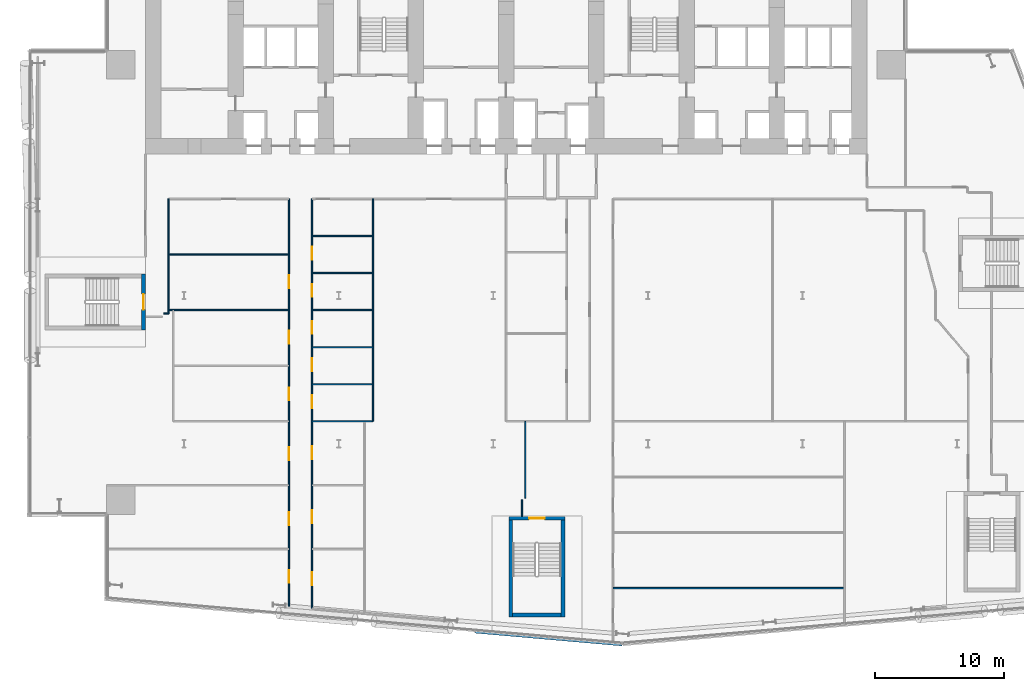
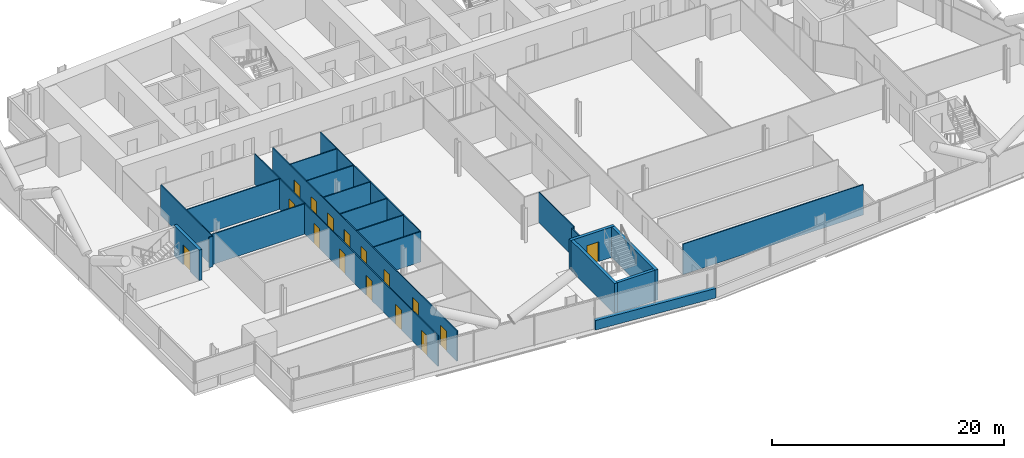
# One storey, part 13 of 27: 23 walls, 16 doors, 16 openings.
"""IFC4 building model written with IfcOpenShell, lengths in metres."""

import ifcopenshell
import ifcopenshell.guid

model = None  # the IFC model being written
_history = None  # IfcOwnerHistory: only IFC2X3 demands one
_inside = {}  # id of a spatial element -> (the spatial element, [elements in it])
_under = {}  # id of a project, library or spatial element -> (it, [spatial elements below it])
_declared = {}  # id of a project -> (the project, [libraries it declares])
_typed = {}  # id of a type object -> (the type object, [elements of that type])
_made_of = {}  # id of a material, layer set ... -> (it, [elements and type objects made of it])


def new_model(schema):
    """Start an empty IFC model of exactly this schema.

    Asked for "IFC4X3", IfcOpenShell would pick the latest addendum, in which some entities
    have other attributes; the version numbers below select the first issue.
    IFC2X3 requires an IfcOwnerHistory on every rooted entity: one is made here for all.
    """
    global model, _history
    if schema == "IFC4X3":
        model = ifcopenshell.file(schema_version=(4, 3, 0, 0))
    else:
        model = ifcopenshell.file(schema=schema)
    _inside.clear()
    _under.clear()
    _declared.clear()
    _typed.clear()
    _made_of.clear()
    _history = None
    if model.schema == "IFC2X3":
        org = make("IfcOrganization", Name="unknown")
        user = make(
            "IfcPersonAndOrganization",
            ThePerson=make("IfcPerson", FamilyName="unknown"),
            TheOrganization=org,
        )
        app = make(
            "IfcApplication",
            ApplicationDeveloper=org,
            Version="unknown",
            ApplicationFullName="unknown",
            ApplicationIdentifier="unknown",
        )
        _history = make(
            "IfcOwnerHistory",
            OwningUser=user,
            OwningApplication=app,
            ChangeAction="ADDED",
            CreationDate=0,
        )
    return model


def make(cls, **values):
    """One entity of the class cls with the attributes given. An attribute that is None is left unset."""
    return model.create_entity(
        cls, **{name: value for name, value in values.items() if value is not None}
    )


def rooted(cls, **values):
    """An entity with a GlobalId (a new one), such as an element, a storey or a relation."""
    return make(cls, GlobalId=ifcopenshell.guid.new(), OwnerHistory=_history, **values)


def si_unit(unit_type, name, prefix=None):
    """IfcSIUnit, for example si_unit("LENGTHUNIT", "METRE", prefix="MILLI")."""
    return make("IfcSIUnit", UnitType=unit_type, Prefix=prefix, Name=name)


def assignment(units):
    """IfcUnitAssignment: the units of a project."""
    return None if units is None else make("IfcUnitAssignment", Units=units)


def point(xyz):
    """IfcCartesianPoint."""
    return None if xyz is None else make("IfcCartesianPoint", Coordinates=xyz)


def direction(xyz):
    """IfcDirection."""
    return None if xyz is None else make("IfcDirection", DirectionRatios=xyz)


def frame(location, z_axis=None, x_axis=None):
    """IfcAxis2Placement3D, a coordinate frame: its origin and axes. An axis left out is left unset."""
    return make(
        "IfcAxis2Placement3D",
        Location=point(location),
        Axis=direction(z_axis),
        RefDirection=direction(x_axis),
    )


def frame_2d(location, x_axis=None):
    """IfcAxis2Placement2D, a coordinate frame in the plane: its origin and x axis."""
    return make(
        "IfcAxis2Placement2D", Location=point(location), RefDirection=direction(x_axis)
    )


def origin():
    """The frame at (0, 0, 0) with its axes left unset."""
    return frame((0.0, 0.0, 0.0))


def place(relative_to, where):
    """IfcLocalPlacement: puts the frame where relative to a parent placement (None: the world)."""
    return make(
        "IfcLocalPlacement", PlacementRelTo=relative_to, RelativePlacement=where
    )


def context(
    kind, dimensions, precision=None, world=None, true_north=None, identifier=None
):
    """IfcGeometricRepresentationContext, for example the 3D "Model" context."""
    return make(
        "IfcGeometricRepresentationContext",
        ContextIdentifier=identifier,
        ContextType=kind,
        CoordinateSpaceDimension=dimensions,
        Precision=precision,
        WorldCoordinateSystem=world,
        TrueNorth=true_north,
    )


def subcontext(parent, identifier, kind, view, scale=None):
    """IfcGeometricRepresentationSubContext, for example "Body" below "Model"."""
    return make(
        "IfcGeometricRepresentationSubContext",
        ContextIdentifier=identifier,
        ContextType=kind,
        ParentContext=parent,
        TargetScale=scale,
        TargetView=view,
    )


def project(units=None, contexts=None):
    """IfcProject with its units and contexts."""
    return rooted(
        "IfcProject",
        Name="project",
        RepresentationContexts=contexts,
        UnitsInContext=assignment(units),
    )


def spatial(cls, under=None, at=None, **own):
    """A site, building, storey or space (cls), placed at a placement, below another one or the project."""
    s = rooted(cls, ObjectPlacement=at, **own)
    if under is not None:
        _under.setdefault(under.id(), (under, []))[1].append(s)
    return s


def profile(cls, at=None, kind="AREA", **sizes):
    """A parametric profile (cls). Its sizes go by their IFC names, for example OverallWidth=200.0."""
    return make(cls, ProfileType=kind, Position=at, **sizes)


def rectangle(**sizes):
    """IfcRectangleProfileDef."""
    return profile("IfcRectangleProfileDef", **sizes)


def extrude(swept, where, along, depth):
    """IfcExtrudedAreaSolid: the profile swept, set in the frame where, extruded along a direction by depth."""
    return make(
        "IfcExtrudedAreaSolid",
        SweptArea=swept,
        Position=where,
        ExtrudedDirection=direction(along),
        Depth=depth,
    )


def shape(context_of_items, identifier, shape_type, items):
    """IfcShapeRepresentation: the items that make up one representation, for example the "Body"."""
    return make(
        "IfcShapeRepresentation",
        ContextOfItems=context_of_items,
        RepresentationIdentifier=identifier,
        RepresentationType=shape_type,
        Items=items,
    )


def material(Name=None, Category=None):
    """IfcMaterial."""
    return make("IfcMaterial", Name=Name, Category=Category)


def layer(
    of_material, thickness, ventilated=None, Name=None, Category=None, Priority=None
):
    """IfcMaterialLayer: one layer of a wall or slab, of a material (None: an air gap)."""
    return make(
        "IfcMaterialLayer",
        Material=of_material,
        LayerThickness=thickness,
        IsVentilated=ventilated,
        Name=Name,
        Category=Category,
        Priority=Priority,
    )


def layer_set(layers, Name=None):
    """IfcMaterialLayerSet."""
    return make("IfcMaterialLayerSet", MaterialLayers=layers, LayerSetName=Name)


def made_of(thing, what):
    """Note that an element or type object is made of a material, layer set ...; save() writes the relation."""
    if what is not None:
        _made_of.setdefault(what.id(), (what, []))[1].append(thing)
    return thing


def type_object(cls, material=None, **own):
    """A type object (cls), such as IfcWallType, which elements share."""
    return made_of(rooted(cls, **own), material)


def element(
    cls,
    number,
    at=None,
    inside=None,
    cuts=None,
    type_object=None,
    material=None,
    context=None,
    identifier="Body",
    shape_type=None,
    held_by="IfcProductDefinitionShape",
    body=None,
    shapes=None,
    **own,
):
    """One element of the class cls, such as IfcWall. Its Tag is "e" and its number.

    at: its placement. inside: the storey or other place that contains it. cuts: it is an
    opening in that element (IfcRelVoidsElement). A single representation is given by context,
    identifier, shape_type and body (its items); several are given by shapes. held_by: the class
    of the entity that holds the representations. save() writes the other relations.
    """
    e = rooted(cls, Tag="e%d" % number, ObjectPlacement=at, **own)
    if body is not None:
        shapes = [shape(context, identifier, shape_type, body)]
    if shapes is not None:
        e.Representation = make(held_by, Representations=shapes)
    if inside is not None:
        _inside.setdefault(inside.id(), (inside, []))[1].append(e)
    if cuts is not None:
        rooted(
            "IfcRelVoidsElement", RelatingBuildingElement=cuts, RelatedOpeningElement=e
        )
    if type_object is not None:
        _typed.setdefault(type_object.id(), (type_object, []))[1].append(e)
    return made_of(e, material)


def fill(opening, filler):
    """IfcRelFillsElement: the door or window that sits in an opening."""
    return rooted(
        "IfcRelFillsElement",
        RelatingOpeningElement=opening,
        RelatedBuildingElement=filler,
    )


def aggregate(whole, parts):
    """IfcRelAggregates: a whole, such as a stair, and the parts it consists of."""
    return rooted("IfcRelAggregates", RelatingObject=whole, RelatedObjects=parts)


def save(model, path):
    """Write the relations noted so far, then the file.

    IfcRelAggregates (storeys below a building ...), IfcRelContainedInSpatialStructure (elements
    in a storey), IfcRelDefinesByType, IfcRelAssociatesMaterial and IfcRelDeclares: one each for
    every whole, place, type object, material and project.
    """
    for whole, parts in _under.values():
        aggregate(whole, parts)
    for where, things in _inside.values():
        rooted(
            "IfcRelContainedInSpatialStructure",
            RelatedElements=things,
            RelatingStructure=where,
        )
    for kind, things in _typed.values():
        rooted("IfcRelDefinesByType", RelatedObjects=things, RelatingType=kind)
    for what, things in _made_of.values():
        rooted("IfcRelAssociatesMaterial", RelatedObjects=things, RelatingMaterial=what)
    for by, libraries in _declared.values():
        rooted("IfcRelDeclares", RelatingContext=by, RelatedDefinitions=libraries)
    model.write(path)


model = new_model("IFC4")

# Units and contexts
model_context = context("Model", 3, precision=1e-05, world=origin(), true_north=direction((0.0, 1.0)))
body_context = subcontext(model_context, "Body", "Model", "MODEL_VIEW")
ifc_project = project(units=[si_unit("LENGTHUNIT", "METRE"), si_unit("AREAUNIT", "SQUARE_METRE"), si_unit("VOLUMEUNIT", "CUBIC_METRE"), si_unit("PLANEANGLEUNIT", "RADIAN"), si_unit("MASSUNIT", "GRAM", prefix="KILO")], contexts=[model_context])

# Site, building, storey
site_placement = place(None, origin())
site = spatial("IfcSite", under=ifc_project, at=site_placement, CompositionType="ELEMENT")
building_placement = place(site_placement, origin())
building = spatial("IfcBuilding", under=site, at=building_placement, Name="Wharfspan Tower", CompositionType="ELEMENT")
storey_placement = place(building_placement, frame((0.0, 0.0, 77.5)))
storey = spatial("IfcBuildingStorey", under=building, at=storey_placement, Name="L16", CompositionType="ELEMENT", Elevation=77.5)

# Walls
ifc_material_1 = material(Name="Gypsum board on steel studs", Category="steel")
ifc_layer_1 = layer(ifc_material_1, 0.100098)
ifc_layer_set_1 = layer_set([ifc_layer_1], Name="Gypsum board on steel studs")
wall_type_1 = type_object("IfcWallType", Name="Compartment wall 100 EI 60", PredefinedType="PARTITIONING", material=ifc_layer_set_1)
wall_1_placement = place(storey_placement, frame((10.419922, 21.600098, 0.0), z_axis=(0.0, 0.0, 1.0), x_axis=(1.0, 0.0, 0.0)))
element("IfcWall", 1, at=wall_1_placement, inside=storey, type_object=wall_type_1, Name="Partition L16.w008", PredefinedType="PARTITIONING", context=body_context, shape_type="SweptSolid", body=[
    extrude(rectangle(XDim=0.380127, YDim=0.100098, at=frame_2d((0.189941, 0.0))), origin(), (0.0, 0.0, 1.0), 3.199951),
])
wall_2_placement = place(storey_placement, frame((10.800049, 21.600098, 0.0), z_axis=(0.0, 0.0, 1.0), x_axis=(0.0, 1.0, 0.0)))
element("IfcWall", 2, at=wall_2_placement, inside=storey, type_object=wall_type_1, Name="Partition L16.w009", PredefinedType="PARTITIONING", context=body_context, shape_type="SweptSolid", body=[
    extrude(rectangle(XDim=8.899902, YDim=0.100098, at=frame_2d((4.449951, 0.0))), origin(), (0.0, 0.0, 1.0), 3.199951),
])
for number, where, z_axis, x_axis, name in (
    (3, (10.800049, 21.870117, 0.0), (0.0, 0.0, 1.0), (1.0, 0.0, 0.0), "Partition L16.w010"),
    (4, (10.800049, 26.185059, 0.0), (0.0, 0.0, 1.0), (1.0, 0.0, 0.0), "Partition L16.w011"),
):
    element("IfcWall", number, at=place(storey_placement, frame(where, z_axis=z_axis, x_axis=x_axis)), inside=storey, type_object=wall_type_1, Name=name, PredefinedType="PARTITIONING", context=body_context, shape_type="SweptSolid", body=[
        extrude(rectangle(XDim=9.339844, YDim=0.100098, at=frame_2d((4.669922, 0.0))), origin(), (0.0, 0.0, 1.0), 3.199951),
    ])

# Wall, openings, doors
wall_3_placement = place(storey_placement, frame((20.139893, -1.129883, 0.0), z_axis=(0.0, 0.0, 1.0), x_axis=(0.0, 1.0, 0.0)))
wall_3 = element("IfcWall", 5, at=wall_3_placement, inside=storey, type_object=wall_type_1, Name="Partition L16.w016", PredefinedType="PARTITIONING", context=body_context, shape_type="SweptSolid", body=[
    extrude(rectangle(XDim=31.629883, YDim=0.100098, at=frame_2d((15.814941, 0.0))), origin(), (0.0, 0.0, 1.0), 3.199951),
])
opening_1_placement = place(wall_3_placement, frame((1.824951, 0.0, 0.0)))
opening_1 = element("IfcOpeningElement", 6, at=opening_1_placement, cuts=wall_3, Name="Opening A4-03", PredefinedType="OPENING", context=body_context, shape_type="SweptSolid", body=[
    extrude(rectangle(XDim=1.0, YDim=2.100098, at=frame_2d((0.5, 1.050049))), frame((0.0, 0.060059, 0.0), z_axis=(0.0, -1.0, 0.0), x_axis=(1.0, 0.0, 0.0)), (0.0, 0.0, 1.0), 0.120117),
])
opening_2_placement = place(wall_3_placement, frame((6.304932, 0.0, 0.0)))
opening_2 = element("IfcOpeningElement", 7, at=opening_2_placement, cuts=wall_3, Name="Opening A4-05", PredefinedType="OPENING", context=body_context, shape_type="SweptSolid", body=[
    extrude(rectangle(XDim=1.0, YDim=2.100098, at=frame_2d((0.5, 1.050049))), frame((0.0, 0.060059, 0.0), z_axis=(0.0, -1.0, 0.0), x_axis=(1.0, 0.0, 0.0)), (0.0, 0.0, 1.0), 0.120117),
])
opening_3_placement = place(wall_3_placement, frame((11.350098, 0.0, 0.0)))
opening_3 = element("IfcOpeningElement", 8, at=opening_3_placement, cuts=wall_3, Name="Opening A4-09", PredefinedType="OPENING", context=body_context, shape_type="SweptSolid", body=[
    extrude(rectangle(XDim=1.0, YDim=2.100098, at=frame_2d((0.5, 1.050049))), frame((0.0, 0.060059, 0.0), z_axis=(0.0, -1.0, 0.0), x_axis=(1.0, 0.0, 0.0)), (0.0, 0.0, 1.0), 0.120117),
])
opening_4_placement = place(wall_3_placement, frame((15.985107, 0.0, 0.0)))
opening_4 = element("IfcOpeningElement", 9, at=opening_4_placement, cuts=wall_3, Name="Opening A4-14", PredefinedType="OPENING", context=body_context, shape_type="SweptSolid", body=[
    extrude(rectangle(XDim=1.0, YDim=2.100098, at=frame_2d((0.5, 1.050049))), frame((0.0, 0.060059, 0.0), z_axis=(0.0, -1.0, 0.0), x_axis=(1.0, 0.0, 0.0)), (0.0, 0.0, 1.0), 0.120117),
])
opening_5_placement = place(wall_3_placement, frame((20.379883, 0.0, 0.0)))
opening_5 = element("IfcOpeningElement", 10, at=opening_5_placement, cuts=wall_3, Name="Opening A4-19", PredefinedType="OPENING", context=body_context, shape_type="SweptSolid", body=[
    extrude(rectangle(XDim=1.0, YDim=2.100098, at=frame_2d((0.5, 1.050049))), frame((0.0, 0.060059, 0.0), z_axis=(0.0, -1.0, 0.0), x_axis=(1.0, 0.0, 0.0)), (0.0, 0.0, 1.0), 0.120117),
])
opening_6_placement = place(wall_3_placement, frame((24.695068, 0.0, 0.0)))
opening_6 = element("IfcOpeningElement", 11, at=opening_6_placement, cuts=wall_3, Name="Opening A4-24", PredefinedType="OPENING", context=body_context, shape_type="SweptSolid", body=[
    extrude(rectangle(XDim=1.0, YDim=2.100098, at=frame_2d((0.5, 1.050049))), frame((0.0, 0.060059, 0.0), z_axis=(0.0, -1.0, 0.0), x_axis=(1.0, 0.0, 0.0)), (0.0, 0.0, 1.0), 0.120117),
])
ifc_material_2 = material(Name="Fire-rated timber door leaf in steel frame", Category="steel")
door_type_1 = type_object("IfcDoorType", Name="Door 1000 FD30S Left", OperationType="SINGLE_SWING_LEFT", PredefinedType="DOOR", material=ifc_material_2)
door_1_placement = place(opening_1_placement, origin())
door_1 = element("IfcDoor", 12, at=door_1_placement, inside=storey, type_object=door_type_1, Name="Door A4-03", OperationType="SINGLE_SWING_LEFT", OverallHeight=2.100098, OverallWidth=1.0, PredefinedType="DOOR", context=body_context, shape_type="SweptSolid", body=[
    extrude(rectangle(XDim=1.0, YDim=2.100098, at=frame_2d((0.5, 1.050049))), frame((0.0, 0.024902, 0.0), z_axis=(0.0, -1.0, 0.0), x_axis=(1.0, 0.0, 0.0)), (0.0, 0.0, 1.0), 0.050049),
])
fill(opening_1, door_1)
door_2_placement = place(opening_2_placement, origin())
door_2 = element("IfcDoor", 13, at=door_2_placement, inside=storey, type_object=door_type_1, Name="Door A4-05", OperationType="SINGLE_SWING_LEFT", OverallHeight=2.100098, OverallWidth=1.0, PredefinedType="DOOR", context=body_context, shape_type="SweptSolid", body=[
    extrude(rectangle(XDim=1.0, YDim=2.100098, at=frame_2d((0.5, 1.050049))), frame((0.0, 0.024902, 0.0), z_axis=(0.0, -1.0, 0.0), x_axis=(1.0, 0.0, 0.0)), (0.0, 0.0, 1.0), 0.050049),
])
fill(opening_2, door_2)
door_3_placement = place(opening_3_placement, origin())
door_3 = element("IfcDoor", 14, at=door_3_placement, inside=storey, type_object=door_type_1, Name="Door A4-09", OperationType="SINGLE_SWING_LEFT", OverallHeight=2.100098, OverallWidth=1.0, PredefinedType="DOOR", context=body_context, shape_type="SweptSolid", body=[
    extrude(rectangle(XDim=1.0, YDim=2.100098, at=frame_2d((0.5, 1.050049))), frame((0.0, 0.024902, 0.0), z_axis=(0.0, -1.0, 0.0), x_axis=(1.0, 0.0, 0.0)), (0.0, 0.0, 1.0), 0.050049),
])
fill(opening_3, door_3)
door_type_2 = type_object("IfcDoorType", Name="Door 1000 FD30S Right", OperationType="SINGLE_SWING_RIGHT", PredefinedType="DOOR", material=ifc_material_2)
door_4_placement = place(opening_4_placement, origin())
door_4 = element("IfcDoor", 15, at=door_4_placement, inside=storey, type_object=door_type_2, Name="Door A4-14", OperationType="SINGLE_SWING_RIGHT", OverallHeight=2.100098, OverallWidth=1.0, PredefinedType="DOOR", context=body_context, shape_type="SweptSolid", body=[
    extrude(rectangle(XDim=1.0, YDim=2.100098, at=frame_2d((0.5, 1.050049))), frame((0.0, 0.024902, 0.0), z_axis=(0.0, -1.0, 0.0), x_axis=(1.0, 0.0, 0.0)), (0.0, 0.0, 1.0), 0.050049),
])
fill(opening_4, door_4)
door_5_placement = place(opening_5_placement, origin())
door_5 = element("IfcDoor", 16, at=door_5_placement, inside=storey, type_object=door_type_2, Name="Door A4-19", OperationType="SINGLE_SWING_RIGHT", OverallHeight=2.100098, OverallWidth=1.0, PredefinedType="DOOR", context=body_context, shape_type="SweptSolid", body=[
    extrude(rectangle(XDim=1.0, YDim=2.100098, at=frame_2d((0.5, 1.050049))), frame((0.0, 0.024902, 0.0), z_axis=(0.0, -1.0, 0.0), x_axis=(1.0, 0.0, 0.0)), (0.0, 0.0, 1.0), 0.050049),
])
fill(opening_5, door_5)
door_6_placement = place(opening_6_placement, origin())
door_6 = element("IfcDoor", 17, at=door_6_placement, inside=storey, type_object=door_type_2, Name="Door A4-24", OperationType="SINGLE_SWING_RIGHT", OverallHeight=2.100098, OverallWidth=1.0, PredefinedType="DOOR", context=body_context, shape_type="SweptSolid", body=[
    extrude(rectangle(XDim=1.0, YDim=2.100098, at=frame_2d((0.5, 1.050049))), frame((0.0, 0.024902, 0.0), z_axis=(0.0, -1.0, 0.0), x_axis=(1.0, 0.0, 0.0)), (0.0, 0.0, 1.0), 0.050049),
])
fill(opening_6, door_6)

wall_4_placement = place(storey_placement, frame((21.939941, -1.290039, 0.0), z_axis=(0.0, 0.0, 1.0), x_axis=(0.0, 1.0, 0.0)))
wall_4 = element("IfcWall", 18, at=wall_4_placement, inside=storey, type_object=wall_type_1, Name="Partition L16.w017", PredefinedType="PARTITIONING", context=body_context, shape_type="SweptSolid", body=[
    extrude(rectangle(XDim=31.790039, YDim=0.100098, at=frame_2d((15.89502, 0.0))), origin(), (0.0, 0.0, 1.0), 3.199951),
])
opening_7_placement = place(wall_4_placement, frame((1.820068, 0.0, 0.0)))
opening_7 = element("IfcOpeningElement", 19, at=opening_7_placement, cuts=wall_4, Name="Opening A4-02", PredefinedType="OPENING", context=body_context, shape_type="SweptSolid", body=[
    extrude(rectangle(XDim=1.0, YDim=2.100098, at=frame_2d((0.5, 1.050049))), frame((0.0, 0.060059, 0.0), z_axis=(0.0, -1.0, 0.0), x_axis=(1.0, 0.0, 0.0)), (0.0, 0.0, 1.0), 0.120117),
])
opening_8_placement = place(wall_4_placement, frame((6.629883, 0.0, 0.0)))
opening_8 = element("IfcOpeningElement", 20, at=opening_8_placement, cuts=wall_4, Name="Opening A4-06", PredefinedType="OPENING", context=body_context, shape_type="SweptSolid", body=[
    extrude(rectangle(XDim=1.0, YDim=2.100098, at=frame_2d((0.5, 1.050049))), frame((0.0, 0.060059, 0.0), z_axis=(0.0, -1.0, 0.0), x_axis=(1.0, 0.0, 0.0)), (0.0, 0.0, 1.0), 0.120117),
])
opening_9_placement = place(wall_4_placement, frame((11.590088, 0.0, 0.0)))
opening_9 = element("IfcOpeningElement", 21, at=opening_9_placement, cuts=wall_4, Name="Opening A4-10", PredefinedType="OPENING", context=body_context, shape_type="SweptSolid", body=[
    extrude(rectangle(XDim=1.0, YDim=2.100098, at=frame_2d((0.5, 1.050049))), frame((0.0, 0.060059, 0.0), z_axis=(0.0, -1.0, 0.0), x_axis=(1.0, 0.0, 0.0)), (0.0, 0.0, 1.0), 0.120117),
])
opening_10_placement = place(wall_4_placement, frame((15.550049, 0.0, 0.0)))
opening_10 = element("IfcOpeningElement", 22, at=opening_10_placement, cuts=wall_4, Name="Opening A4-13", PredefinedType="OPENING", context=body_context, shape_type="SweptSolid", body=[
    extrude(rectangle(XDim=1.0, YDim=2.100098, at=frame_2d((0.5, 1.050049))), frame((0.0, 0.060059, 0.0), z_axis=(0.0, -1.0, 0.0), x_axis=(1.0, 0.0, 0.0)), (0.0, 0.0, 1.0), 0.120117),
])
opening_11_placement = place(wall_4_placement, frame((18.425049, 0.0, 0.0)))
opening_11 = element("IfcOpeningElement", 23, at=opening_11_placement, cuts=wall_4, Name="Opening A4-18", PredefinedType="OPENING", context=body_context, shape_type="SweptSolid", body=[
    extrude(rectangle(XDim=1.0, YDim=2.100098, at=frame_2d((0.5, 1.050049))), frame((0.0, 0.060059, 0.0), z_axis=(0.0, -1.0, 0.0), x_axis=(1.0, 0.0, 0.0)), (0.0, 0.0, 1.0), 0.120117),
])
opening_12_placement = place(wall_4_placement, frame((21.304932, 0.0, 0.0)))
opening_12 = element("IfcOpeningElement", 24, at=opening_12_placement, cuts=wall_4, Name="Opening A4-20", PredefinedType="OPENING", context=body_context, shape_type="SweptSolid", body=[
    extrude(rectangle(XDim=1.0, YDim=2.100098, at=frame_2d((0.5, 1.050049))), frame((0.0, 0.060059, 0.0), z_axis=(0.0, -1.0, 0.0), x_axis=(1.0, 0.0, 0.0)), (0.0, 0.0, 1.0), 0.120117),
])
opening_13_placement = place(wall_4_placement, frame((24.179932, 0.0, 0.0)))
opening_13 = element("IfcOpeningElement", 25, at=opening_13_placement, cuts=wall_4, Name="Opening A4-23", PredefinedType="OPENING", context=body_context, shape_type="SweptSolid", body=[
    extrude(rectangle(XDim=1.0, YDim=2.100098, at=frame_2d((0.5, 1.050049))), frame((0.0, 0.060059, 0.0), z_axis=(0.0, -1.0, 0.0), x_axis=(1.0, 0.0, 0.0)), (0.0, 0.0, 1.0), 0.120117),
])
opening_14_placement = place(wall_4_placement, frame((27.054932, 0.0, 0.0)))
opening_14 = element("IfcOpeningElement", 26, at=opening_14_placement, cuts=wall_4, Name="Opening A4-25", PredefinedType="OPENING", context=body_context, shape_type="SweptSolid", body=[
    extrude(rectangle(XDim=1.0, YDim=2.100098, at=frame_2d((0.5, 1.050049))), frame((0.0, 0.060059, 0.0), z_axis=(0.0, -1.0, 0.0), x_axis=(1.0, 0.0, 0.0)), (0.0, 0.0, 1.0), 0.120117),
])
door_7_placement = place(opening_7_placement, origin())
door_7 = element("IfcDoor", 27, at=door_7_placement, inside=storey, type_object=door_type_1, Name="Door A4-02", OperationType="SINGLE_SWING_LEFT", OverallHeight=2.100098, OverallWidth=1.0, PredefinedType="DOOR", context=body_context, shape_type="SweptSolid", body=[
    extrude(rectangle(XDim=1.0, YDim=2.100098, at=frame_2d((0.5, 1.050049))), frame((0.0, 0.024902, 0.0), z_axis=(0.0, -1.0, 0.0), x_axis=(1.0, 0.0, 0.0)), (0.0, 0.0, 1.0), 0.050049),
])
fill(opening_7, door_7)
door_8_placement = place(opening_8_placement, origin())
door_8 = element("IfcDoor", 28, at=door_8_placement, inside=storey, type_object=door_type_1, Name="Door A4-06", OperationType="SINGLE_SWING_LEFT", OverallHeight=2.100098, OverallWidth=1.0, PredefinedType="DOOR", context=body_context, shape_type="SweptSolid", body=[
    extrude(rectangle(XDim=1.0, YDim=2.100098, at=frame_2d((0.5, 1.050049))), frame((0.0, 0.024902, 0.0), z_axis=(0.0, -1.0, 0.0), x_axis=(1.0, 0.0, 0.0)), (0.0, 0.0, 1.0), 0.050049),
])
fill(opening_8, door_8)
door_9_placement = place(opening_9_placement, origin())
door_9 = element("IfcDoor", 29, at=door_9_placement, inside=storey, type_object=door_type_1, Name="Door A4-10", OperationType="SINGLE_SWING_LEFT", OverallHeight=2.100098, OverallWidth=1.0, PredefinedType="DOOR", context=body_context, shape_type="SweptSolid", body=[
    extrude(rectangle(XDim=1.0, YDim=2.100098, at=frame_2d((0.5, 1.050049))), frame((0.0, 0.024902, 0.0), z_axis=(0.0, -1.0, 0.0), x_axis=(1.0, 0.0, 0.0)), (0.0, 0.0, 1.0), 0.050049),
])
fill(opening_9, door_9)
door_10_placement = place(opening_10_placement, origin())
door_10 = element("IfcDoor", 30, at=door_10_placement, inside=storey, type_object=door_type_2, Name="Door A4-13", OperationType="SINGLE_SWING_RIGHT", OverallHeight=2.100098, OverallWidth=1.0, PredefinedType="DOOR", context=body_context, shape_type="SweptSolid", body=[
    extrude(rectangle(XDim=1.0, YDim=2.100098, at=frame_2d((0.5, 1.050049))), frame((0.0, 0.024902, 0.0), z_axis=(0.0, -1.0, 0.0), x_axis=(1.0, 0.0, 0.0)), (0.0, 0.0, 1.0), 0.050049),
])
fill(opening_10, door_10)
door_11_placement = place(opening_11_placement, origin())
door_11 = element("IfcDoor", 31, at=door_11_placement, inside=storey, type_object=door_type_2, Name="Door A4-18", OperationType="SINGLE_SWING_RIGHT", OverallHeight=2.100098, OverallWidth=1.0, PredefinedType="DOOR", context=body_context, shape_type="SweptSolid", body=[
    extrude(rectangle(XDim=1.0, YDim=2.100098, at=frame_2d((0.5, 1.050049))), frame((0.0, 0.024902, 0.0), z_axis=(0.0, -1.0, 0.0), x_axis=(1.0, 0.0, 0.0)), (0.0, 0.0, 1.0), 0.050049),
])
fill(opening_11, door_11)
door_12_placement = place(opening_12_placement, origin())
door_12 = element("IfcDoor", 32, at=door_12_placement, inside=storey, type_object=door_type_2, Name="Door A4-20", OperationType="SINGLE_SWING_RIGHT", OverallHeight=2.100098, OverallWidth=1.0, PredefinedType="DOOR", context=body_context, shape_type="SweptSolid", body=[
    extrude(rectangle(XDim=1.0, YDim=2.100098, at=frame_2d((0.5, 1.050049))), frame((0.0, 0.024902, 0.0), z_axis=(0.0, -1.0, 0.0), x_axis=(1.0, 0.0, 0.0)), (0.0, 0.0, 1.0), 0.050049),
])
fill(opening_12, door_12)
door_13_placement = place(opening_13_placement, origin())
door_13 = element("IfcDoor", 33, at=door_13_placement, inside=storey, type_object=door_type_2, Name="Door A4-23", OperationType="SINGLE_SWING_RIGHT", OverallHeight=2.100098, OverallWidth=1.0, PredefinedType="DOOR", context=body_context, shape_type="SweptSolid", body=[
    extrude(rectangle(XDim=1.0, YDim=2.100098, at=frame_2d((0.5, 1.050049))), frame((0.0, 0.024902, 0.0), z_axis=(0.0, -1.0, 0.0), x_axis=(1.0, 0.0, 0.0)), (0.0, 0.0, 1.0), 0.050049),
])
fill(opening_13, door_13)
door_14_placement = place(opening_14_placement, origin())
door_14 = element("IfcDoor", 34, at=door_14_placement, inside=storey, type_object=door_type_2, Name="Door A4-25", OperationType="SINGLE_SWING_RIGHT", OverallHeight=2.100098, OverallWidth=1.0, PredefinedType="DOOR", context=body_context, shape_type="SweptSolid", body=[
    extrude(rectangle(XDim=1.0, YDim=2.100098, at=frame_2d((0.5, 1.050049))), frame((0.0, 0.024902, 0.0), z_axis=(0.0, -1.0, 0.0), x_axis=(1.0, 0.0, 0.0)), (0.0, 0.0, 1.0), 0.050049),
])
fill(opening_14, door_14)

# Walls
for number, where, z_axis, x_axis, name in (
    (35, (21.939941, 13.23999, 0.0), (0.0, 0.0, 1.0), (1.0, 0.0, 0.0), "Partition L16.w020"),
    (36, (21.939941, 16.11499, 0.0), (0.0, 0.0, 1.0), (1.0, 0.0, 0.0), "Partition L16.w021"),
    (37, (21.939941, 18.98999, 0.0), (0.0, 0.0, 1.0), (1.0, 0.0, 0.0), "Partition L16.w022"),
    (38, (21.939941, 21.870117, 0.0), (0.0, 0.0, 1.0), (1.0, 0.0, 0.0), "Partition L16.w023"),
    (39, (21.939941, 24.745117, 0.0), (0.0, 0.0, 1.0), (1.0, 0.0, 0.0), "Partition L16.w024"),
    (40, (21.939941, 27.625, 0.0), (0.0, 0.0, 1.0), (1.0, 0.0, 0.0), "Partition L16.w025"),
):
    element("IfcWall", number, at=place(storey_placement, frame(where, z_axis=z_axis, x_axis=x_axis)), inside=storey, type_object=wall_type_1, Name=name, PredefinedType="PARTITIONING", context=body_context, shape_type="SweptSolid", body=[
        extrude(rectangle(XDim=4.725098, YDim=0.100098, at=frame_2d((2.362549, 0.0))), origin(), (0.0, 0.0, 1.0), 3.199951),
    ])
wall_5_placement = place(storey_placement, frame((26.669922, 16.11499, 0.0), z_axis=(0.0, 0.0, 1.0), x_axis=(0.0, 1.0, 0.0)))
element("IfcWall", 41, at=wall_5_placement, inside=storey, type_object=wall_type_1, Name="Partition L16.w030", PredefinedType="PARTITIONING", context=body_context, shape_type="SweptSolid", body=[
    extrude(rectangle(XDim=14.38501, YDim=0.100098, at=frame_2d((7.192383, 0.0))), origin(), (0.0, 0.0, 1.0), 3.199951),
])
wall_6_placement = place(storey_placement, frame((38.22998, 5.880615, 0.0), z_axis=(0.0, 0.0, 1.0), x_axis=(0.0, 1.0, 0.0)))
element("IfcWall", 42, at=wall_6_placement, inside=storey, type_object=wall_type_1, Name="Partition L16.w036", PredefinedType="PARTITIONING", context=body_context, shape_type="SweptSolid", body=[
    extrude(rectangle(XDim=1.279297, YDim=0.100098, at=frame_2d((0.639648, 0.0))), origin(), (0.0, 0.0, 1.0), 3.199951),
])
wall_7_placement = place(storey_placement, frame((38.47998, 7.280029, 0.0), z_axis=(0.0, 0.0, 1.0), x_axis=(0.0, 1.0, 0.0)))
element("IfcWall", 43, at=wall_7_placement, inside=storey, type_object=wall_type_1, Name="Partition L16.w037", PredefinedType="PARTITIONING", context=body_context, shape_type="SweptSolid", body=[
    extrude(rectangle(XDim=5.955078, YDim=0.100098, at=frame_2d((2.977539, 0.0))), origin(), (0.0, 0.0, 1.0), 3.199951),
])
wall_8_placement = place(storey_placement, frame((45.300049, 0.290039, 0.0), z_axis=(0.0, 0.0, 1.0), x_axis=(1.0, 0.0, 0.0)))
element("IfcWall", 44, at=wall_8_placement, inside=storey, type_object=wall_type_1, Name="Partition L16.w041", PredefinedType="PARTITIONING", context=body_context, shape_type="SweptSolid", body=[
    extrude(rectangle(XDim=17.949951, YDim=0.100098, at=frame_2d((8.975098, 0.0))), origin(), (0.0, 0.0, 1.0), 3.199951),
])
ifc_layer_2 = layer(ifc_material_1, 0.100098)
ifc_layer_set_2 = layer_set([ifc_layer_2], Name="Gypsum board on steel studs")
wall_type_2 = type_object("IfcWallType", Name="Partition 100", PredefinedType="PARTITIONING", material=ifc_layer_set_2)
wall_9_placement = place(storey_placement, frame((26.665039, 13.23999, 0.0), z_axis=(0.0, 0.0, 1.0), x_axis=(0.001698, 0.999995, 0.0)))
element("IfcWall", 45, at=wall_9_placement, inside=storey, type_object=wall_type_2, Name="Partition L16.w028", PredefinedType="PARTITIONING", context=body_context, shape_type="SweptSolid", body=[
    extrude(rectangle(XDim=2.875, YDim=0.100098, at=frame_2d((1.4375, 0.0))), origin(), (0.0, 0.0, 1.0), 3.199951),
])
ifc_material_3 = material(Name="Concrete C40/50", Category="concrete")
ifc_layer_3 = layer(ifc_material_3, 0.350098)
ifc_layer_set_3 = layer_set([ifc_layer_3], Name="Concrete C40/50")
wall_type_3 = type_object("IfcWallType", Name="SPANDREL EXPOSED CONCRETE 350", PredefinedType="SOLIDWALL", material=ifc_layer_set_3)
wall_10_placement = place(storey_placement, frame((34.60083, -3.032227, 0.0), z_axis=(0.0, 0.0, 1.0), x_axis=(0.996193, -0.087148, 0.0)))
element("IfcWall", 46, at=wall_10_placement, inside=storey, type_object=wall_type_3, Name="Spandrel upstand L16 S1 2", PredefinedType="SOLIDWALL", context=body_context, shape_type="SweptSolid", body=[
    extrude(rectangle(XDim=11.458008, YDim=0.350098, at=frame_2d((5.729004, 0.0))), origin(), (0.0, 0.0, 1.0), 1.0),
])

# Wall, opening, door
ifc_layer_4 = layer(ifc_material_3, 0.300049)
ifc_layer_set_4 = layer_set([ifc_layer_4], Name="Concrete C40/50")
wall_type_4 = type_object("IfcWallType", Name="Stair core wall 300", PredefinedType="SHEAR", material=ifc_layer_set_4)
wall_11_placement = place(storey_placement, frame((8.850098, 20.324951, 0.0), z_axis=(0.0, 0.0, 1.0), x_axis=(0.0, 1.0, 0.0)))
wall_11 = element("IfcWall", 47, at=wall_11_placement, inside=storey, type_object=wall_type_4, Name="ST3 stair enclosure wall L16", PredefinedType="SHEAR", context=body_context, shape_type="SweptSolid", body=[
    extrude(rectangle(XDim=4.350098, YDim=0.300049, at=frame_2d((2.175049, 0.0))), origin(), (0.0, 0.0, 1.0), 3.199951),
])
opening_15_placement = place(wall_11_placement, frame((1.574951, 0.0, 0.0)))
opening_15 = element("IfcOpeningElement", 48, at=opening_15_placement, cuts=wall_11, Name="Opening SD3.L16", PredefinedType="OPENING", context=body_context, shape_type="SweptSolid", body=[
    extrude(rectangle(XDim=1.199951, YDim=2.100098, at=frame_2d((0.600098, 1.050049))), frame((0.0, 0.159912, 0.0), z_axis=(0.0, -1.0, 0.0), x_axis=(1.0, 0.0, 0.0)), (0.0, 0.0, 1.0), 0.320068),
])
ifc_material_4 = material(Name="Steel door leaf", Category="steel")
door_type_3 = type_object("IfcDoorType", Name="Stair door 1200x2100", OperationType="SINGLE_SWING_LEFT", PredefinedType="DOOR", material=ifc_material_4)
door_15_placement = place(opening_15_placement, origin())
door_15 = element("IfcDoor", 49, at=door_15_placement, inside=storey, type_object=door_type_3, Name="sd:L16:ST3z1", OperationType="SINGLE_SWING_RIGHT", OverallHeight=2.100098, OverallWidth=1.199951, PredefinedType="DOOR", context=body_context, shape_type="SweptSolid", body=[
    extrude(rectangle(XDim=1.199951, YDim=2.100098, at=frame_2d((0.600098, 1.050049))), frame((0.0, 0.024902, 0.0), z_axis=(0.0, -1.0, 0.0), x_axis=(1.0, 0.0, 0.0)), (0.0, 0.0, 1.0), 0.050049),
])
fill(opening_15, door_15)

wall_12_placement = place(storey_placement, frame((37.208252, 5.710693, 0.0), z_axis=(0.0, 0.0, 1.0), x_axis=(1.0, 0.0, 0.0)))
wall_12 = element("IfcWall", 50, at=wall_12_placement, inside=storey, type_object=wall_type_4, Name="ST4 stair enclosure wall L16", PredefinedType="SHEAR", context=body_context, shape_type="SweptSolid", body=[
    extrude(rectangle(XDim=4.350098, YDim=0.300049, at=frame_2d((2.175049, 0.0))), origin(), (0.0, 0.0, 1.0), 3.199951),
])
opening_16_placement = place(wall_12_placement, frame((1.574951, 0.0, 0.0)))
opening_16 = element("IfcOpeningElement", 51, at=opening_16_placement, cuts=wall_12, Name="Opening SD4.L16", PredefinedType="OPENING", context=body_context, shape_type="SweptSolid", body=[
    extrude(rectangle(XDim=1.199951, YDim=2.100098, at=frame_2d((0.600098, 1.050049))), frame((0.0, 0.159912, 0.0), z_axis=(0.0, -1.0, 0.0), x_axis=(1.0, 0.0, 0.0)), (0.0, 0.0, 1.0), 0.320068),
])
door_16_placement = place(opening_16_placement, origin())
door_16 = element("IfcDoor", 52, at=door_16_placement, inside=storey, type_object=door_type_3, Name="sd:L16:ST4z1", OperationType="SINGLE_SWING_RIGHT", OverallHeight=2.100098, OverallWidth=1.199951, PredefinedType="DOOR", context=body_context, shape_type="SweptSolid", body=[
    extrude(rectangle(XDim=1.199951, YDim=2.100098, at=frame_2d((0.600098, 1.050049))), frame((0.0, 0.024902, 0.0), z_axis=(0.0, -1.0, 0.0), x_axis=(1.0, 0.0, 0.0)), (0.0, 0.0, 1.0), 0.050049),
])
fill(opening_16, door_16)

# Walls
for number, where, z_axis, x_axis, name in (
    (53, (37.358398, -1.939453, 0.0), (0.0, 0.0, 1.0), (0.0, 1.0, 0.0), "ST4 stair enclosure wall L16"),
    (54, (41.408203, -1.939453, 0.0), (0.0, 0.0, 1.0), (0.0, 1.0, 0.0), "ST4 stair enclosure wall L16"),
):
    element("IfcWall", number, at=place(storey_placement, frame(where, z_axis=z_axis, x_axis=x_axis)), inside=storey, type_object=wall_type_4, Name=name, PredefinedType="SHEAR", context=body_context, shape_type="SweptSolid", body=[
        extrude(rectangle(XDim=7.5, YDim=0.300049, at=frame_2d((3.75, 0.0))), origin(), (0.0, 0.0, 1.0), 3.199951),
    ])
wall_13_placement = place(storey_placement, frame((37.508301, -1.789307, 0.0), z_axis=(0.0, 0.0, 1.0), x_axis=(1.0, 0.0, 0.0)))
element("IfcWall", 55, at=wall_13_placement, inside=storey, type_object=wall_type_4, Name="ST4 stair enclosure wall L16", PredefinedType="SHEAR", context=body_context, shape_type="SweptSolid", body=[
    extrude(rectangle(XDim=3.75, YDim=0.300049, at=frame_2d((1.875, 0.0))), origin(), (0.0, 0.0, 1.0), 3.199951),
])

save(model, "model.ifc")
